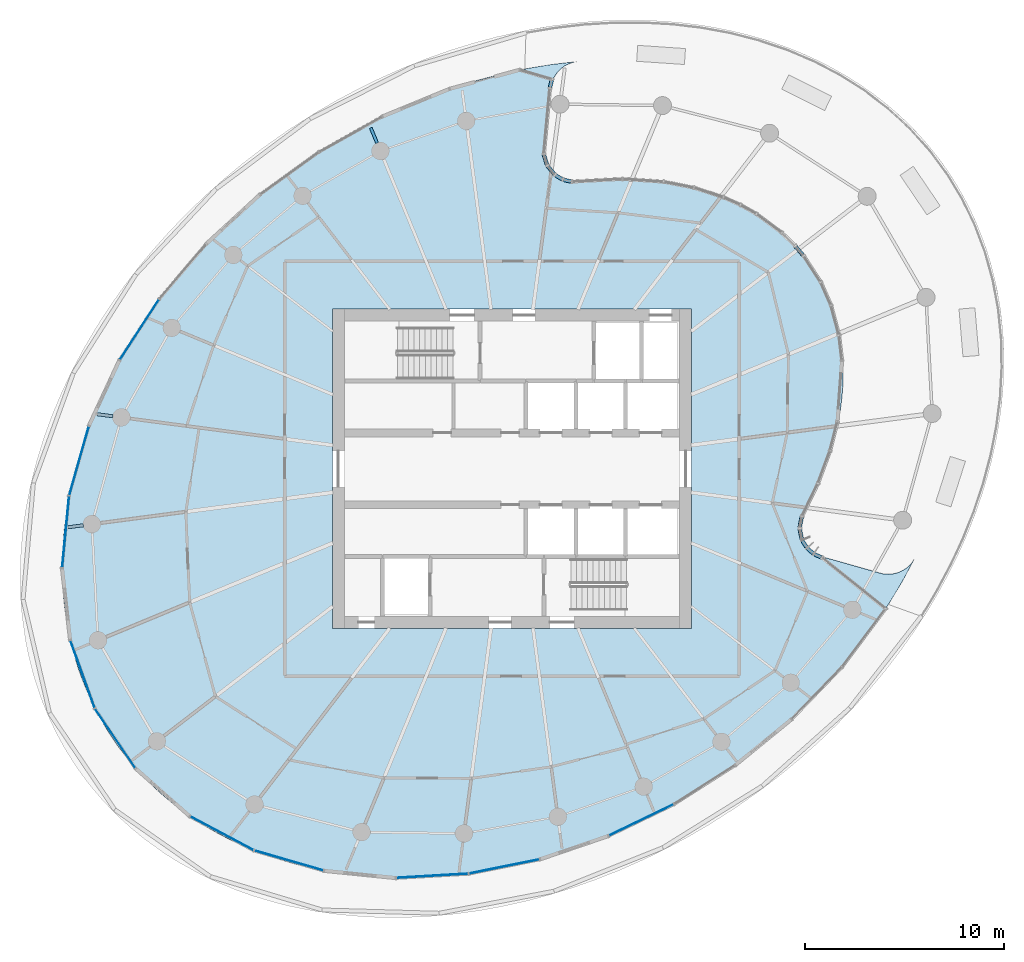
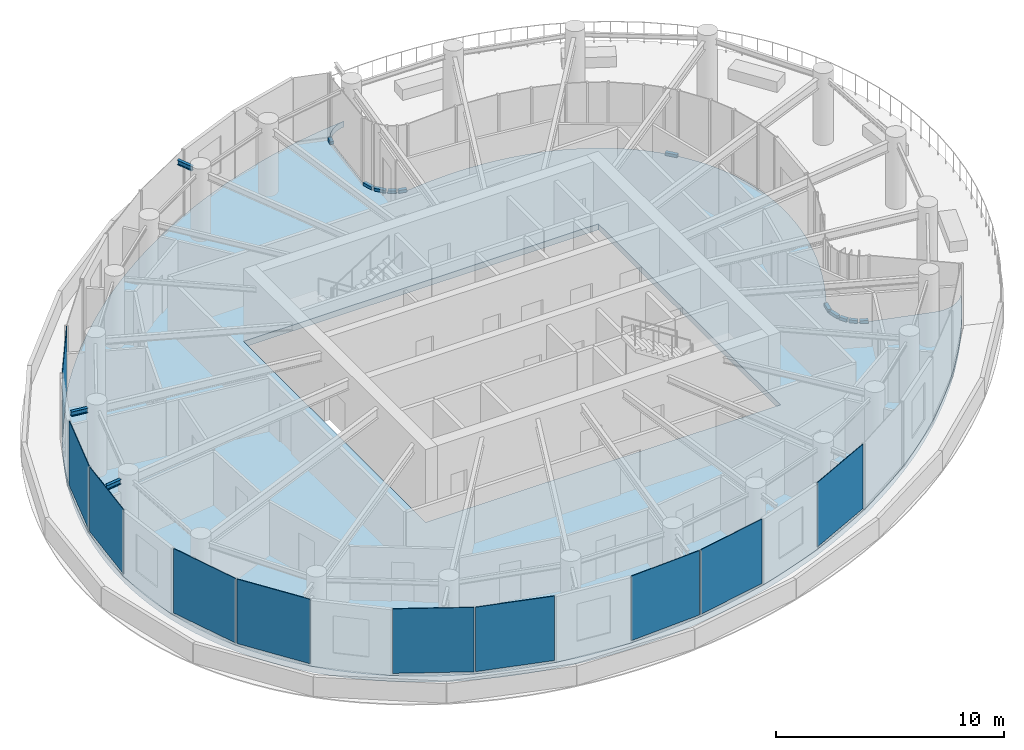
# One storey, part 7 of 19: 11 members, 10 plates, 3 beams, 1 slab, 6 elements without a shape of their own.
"""IFC4 building model written with IfcOpenShell, lengths in metres."""

from ifc_helpers import new_model, si_unit, direction, frame, origin, origin_2d, place, context, subcontext, project, spatial, line, indexed_curve, rectangle, i_section, outline, extrude, source, transform, mapped, material, layer, layer_set, material_profile, profile_set, type_object, element, aggregate, save


model = new_model("IFC4")

# Units and contexts
model_context = context("Model", 3, precision=1e-05, world=origin(), true_north=direction((0.0, 1.0)))
body_context = subcontext(model_context, "Body", "Model", "MODEL_VIEW")
ifc_project = project(units=[si_unit("LENGTHUNIT", "METRE"), si_unit("AREAUNIT", "SQUARE_METRE"), si_unit("VOLUMEUNIT", "CUBIC_METRE"), si_unit("PLANEANGLEUNIT", "RADIAN"), si_unit("MASSUNIT", "GRAM", prefix="KILO")], contexts=[model_context])

# Site, building, storey
site_placement = place(None, origin())
site = spatial("IfcSite", under=ifc_project, at=site_placement, CompositionType="ELEMENT")
building_placement = place(site_placement, origin())
building = spatial("IfcBuilding", under=site, at=building_placement, Name="Spindrift Exchange Tower", CompositionType="ELEMENT")
storey_placement = place(building_placement, frame((0.0, 0.0, 183.800048828125)))
storey = spatial("IfcBuildingStorey", under=building, at=storey_placement, Name="L44", CompositionType="ELEMENT", Elevation=183.800048828125)

# Beams
ifc_material_1 = material(Name="Steel Grade 300", Category="steel")
ifc_material_profile_1 = material_profile(ifc_material_1, i_section(OverallWidth=0.14599609375, OverallDepth=0.251953125, WebThickness=0.006103515625, FlangeThickness=0.008544921875, FilletRadius=0.011962890625, at=origin_2d()), Name="250UB31.4")
ifc_profile_set_1 = profile_set([ifc_material_profile_1], Name="Steel Grade 300")
beam_type = type_object("IfcBeamType", Name="Cantilever Beam 250UB31.4 Steel Grade 300", PredefinedType="BEAM", material=ifc_profile_set_1)
shared_shape_1 = source(origin(), body_context, "Body", "SweptSolid", [
    extrude(i_section(OverallWidth=0.14599609375, OverallDepth=0.251953125, WebThickness=0.006103515625, FlangeThickness=0.008544921875, FilletRadius=0.011962890625, at=origin_2d()), origin(), (0.0, 0.0, 1.0), 0.825927734375),
])
beam_1_placement = place(storey_placement, frame((45.236328125, 64.32861328125, 3.453857421875), z_axis=(-0.38247362018, 0.923966411655, 0.0), x_axis=(-0.923966411655, -0.38247362018, 0.0)))
element("IfcBeam", 1, at=beam_1_placement, inside=storey, type_object=beam_type, Name="L44 cantilever beam R08T", PredefinedType="BEAM", context=body_context, shape_type="MappedRepresentation", body=[
    mapped(shared_shape_1, transform((0.0, 0.0, 0.0), scale=1.0)),
])
shared_shape_2 = source(origin(), body_context, "Body", "SweptSolid", [
    extrude(i_section(OverallWidth=0.14599609375, OverallDepth=0.251953125, WebThickness=0.006103515625, FlangeThickness=0.008544921875, FilletRadius=0.011962890625, at=origin_2d()), origin(), (0.0, 0.0, 1.0), 0.783447265625),
])
beam_2_placement = place(storey_placement, frame((31.99267578125, 50.634033203125, 3.453857421875), z_axis=(-0.991441564694, 0.130551230549, 0.0), x_axis=(-0.130551230549, -0.991441564694, 0.0)))
element("IfcBeam", 2, at=beam_2_placement, inside=storey, type_object=beam_type, Name="L44 cantilever beam R12T", PredefinedType="BEAM", context=body_context, shape_type="MappedRepresentation", body=[
    mapped(shared_shape_2, transform((0.0, 0.0, 0.0), scale=1.0)),
])
shared_shape_3 = source(origin(), body_context, "Body", "SweptSolid", [
    extrude(i_section(OverallWidth=0.14599609375, OverallDepth=0.251953125, WebThickness=0.006103515625, FlangeThickness=0.008544921875, FilletRadius=0.011962890625, at=origin_2d()), origin(), (0.0, 0.0, 1.0), 0.77685546875),
])
beam_3_placement = place(storey_placement, frame((30.511474609375, 45.1708984375, 3.453857421875), z_axis=(-0.99145964274, -0.130413867429, 0.0), x_axis=(0.130413867429, -0.99145964274, 0.0)))
element("IfcBeam", 3, at=beam_3_placement, inside=storey, type_object=beam_type, Name="L44 cantilever beam R13T", PredefinedType="BEAM", context=body_context, shape_type="MappedRepresentation", body=[
    mapped(shared_shape_3, transform((0.0, 0.0, 0.0), scale=1.0)),
])

# Curtain wall, member
ifc_material_2 = material(Name="Fritted laminated glass with bronze frame", Category="glass")
ifc_layer_1 = layer(ifc_material_2, 0.199951171875)
ifc_layer_set_1 = layer_set([ifc_layer_1], Name="SKY GARDEN BRONZE GLAZED WALL")
curtain_wall_type_1 = type_object("IfcCurtainWallType", Name="SKY GARDEN BRONZE GLAZED WALL", PredefinedType="NOTDEFINED", material=ifc_layer_set_1)
curtain_wall_1_placement = place(storey_placement, origin())
curtain_wall_1 = element("IfcCurtainWall", 4, at=curtain_wall_1_placement, inside=storey, type_object=curtain_wall_type_1, Name="L44 Sky Garden Bronze Glazed Wall run 6", PredefinedType="NOTDEFINED")
ifc_material_3 = material(Name="Bronze anodised aluminium", Category="aluminium")
ifc_material_profile_2 = material_profile(ifc_material_3, rectangle(XDim=0.179931640625, YDim=0.14990234375, at=origin_2d()), Name="SKY GARDEN BRONZE GLAZED WALL TRANSOM 180X150")
ifc_profile_set_2 = profile_set([ifc_material_profile_2], Name="Bronze anodised aluminium")
member_type = type_object("IfcMemberType", Name="SKY GARDEN BRONZE GLAZED WALL TRANSOM 180X150", PredefinedType="USERDEFINED", material=ifc_profile_set_2)
shared_shape_4 = source(origin(), body_context, "Body", "SweptSolid", [
    extrude(rectangle(XDim=0.179931640625, YDim=0.14990234375, at=origin_2d()), origin(), (0.0, 0.0, 1.0), 0.526123046875),
])
member_1_placement = place(storey_placement, frame((66.42431640625, 45.067626953125, 0.074951171875), z_axis=(0.190757852323, 0.981637123268, 0.0), x_axis=(-0.981637123268, 0.190757852323, 0.0)))
member_1 = element("IfcMember", 5, at=member_1_placement, type_object=member_type, Name="L44 transom CW-G.31", ObjectType="TRANSOM", PredefinedType="USERDEFINED", context=body_context, shape_type="MappedRepresentation", body=[
    mapped(shared_shape_4, transform((0.0, 0.0, 0.0), scale=1.0)),
])

curtain_wall_2_placement = place(storey_placement, origin())
curtain_wall_2 = element("IfcCurtainWall", 6, at=curtain_wall_2_placement, inside=storey, type_object=curtain_wall_type_1, Name="L44 Sky Garden Bronze Glazed Wall run 10", PredefinedType="NOTDEFINED")
member_2_placement = place(storey_placement, frame((53.753173828125, 63.2421875, 0.074951171875), z_axis=(-0.289518021906, 0.957172562808, 0.0), x_axis=(-0.957172562808, -0.289518021906, 0.0)))
member_2 = element("IfcMember", 7, at=member_2_placement, type_object=member_type, Name="L44 transom CW-G.53", ObjectType="TRANSOM", PredefinedType="USERDEFINED", context=body_context, shape_type="MappedRepresentation", body=[
    mapped(shared_shape_4, transform((0.0, 0.0, 0.0), scale=1.0)),
])

# Member
shared_shape_5 = source(origin(), body_context, "Body", "SweptSolid", [
    extrude(rectangle(XDim=0.179931640625, YDim=0.14990234375, at=origin_2d()), origin(), (0.0, 0.0, 1.0), 0.377197265625),
])
member_3_placement = place(storey_placement, frame((67.5048828125, 43.561767578125, 0.074951171875), z_axis=(-0.910742949314, 0.412973704096, 0.0), x_axis=(-0.412973704096, -0.910742949314, 0.0)))
member_3 = element("IfcMember", 8, at=member_3_placement, type_object=member_type, Name="L44 transom CW-G.27", ObjectType="TRANSOM", PredefinedType="USERDEFINED", context=body_context, shape_type="MappedRepresentation", body=[
    mapped(shared_shape_5, transform((0.0, 0.0, 0.0), scale=1.0)),
])

shared_shape_6 = source(origin(), body_context, "Body", "SweptSolid", [
    extrude(rectangle(XDim=0.179931640625, YDim=0.14990234375, at=origin_2d()), origin(), (0.0, 0.0, 1.0), 0.374755859375),
])
member_4_placement = place(storey_placement, frame((67.0908203125, 43.763427734375, 0.074951171875), z_axis=(-0.749096019082, 0.662461436006, 0.0), x_axis=(-0.662461436006, -0.749096019082, 0.0)))
member_4 = element("IfcMember", 9, at=member_4_placement, type_object=member_type, Name="L44 transom CW-G.28", ObjectType="TRANSOM", PredefinedType="USERDEFINED", context=body_context, shape_type="MappedRepresentation", body=[
    mapped(shared_shape_6, transform((0.0, 0.0, 0.0), scale=1.0)),
])

shared_shape_7 = source(origin(), body_context, "Body", "SweptSolid", [
    extrude(rectangle(XDim=0.179931640625, YDim=0.14990234375, at=origin_2d()), origin(), (0.0, 0.0, 1.0), 0.37451171875),
])
member_5_placement = place(storey_placement, frame((66.756103515625, 44.076171875, 0.074951171875), z_axis=(-0.521476375988, 0.85326572021, 0.0), x_axis=(-0.85326572021, -0.521476375988, 0.0)))
member_5 = element("IfcMember", 10, at=member_5_placement, type_object=member_type, Name="L44 transom CW-G.29", ObjectType="TRANSOM", PredefinedType="USERDEFINED", context=body_context, shape_type="MappedRepresentation", body=[
    mapped(shared_shape_7, transform((0.0, 0.0, 0.0), scale=1.0)),
])

shared_shape_8 = source(origin(), body_context, "Body", "SweptSolid", [
    extrude(rectangle(XDim=0.179931640625, YDim=0.14990234375, at=origin_2d()), origin(), (0.0, 0.0, 1.0), 0.521240234375),
])
member_6_placement = place(storey_placement, frame((66.530029296875, 44.4736328125, 0.074951171875), z_axis=(-0.202326829291, 0.979318055664, 0.0), x_axis=(-0.979318055664, -0.202326829291, 0.0)))
member_6 = element("IfcMember", 11, at=member_6_placement, type_object=member_type, Name="L44 transom CW-G.30", ObjectType="TRANSOM", PredefinedType="USERDEFINED", context=body_context, shape_type="MappedRepresentation", body=[
    mapped(shared_shape_8, transform((0.0, 0.0, 0.0), scale=1.0)),
])

aggregate(curtain_wall_1, [member_3, member_4, member_5, member_6, member_1])

# Curtain wall, member
curtain_wall_3_placement = place(storey_placement, origin())
curtain_wall_3 = element("IfcCurtainWall", 12, at=curtain_wall_3_placement, inside=storey, type_object=curtain_wall_type_1, Name="L44 Sky Garden Bronze Glazed Wall run 8", PredefinedType="NOTDEFINED")
shared_shape_9 = source(origin(), body_context, "Body", "SweptSolid", [
    extrude(rectangle(XDim=0.179931640625, YDim=0.14990234375, at=origin_2d()), origin(), (0.0, 0.0, 1.0), 0.5712890625),
])
member_7_placement = place(storey_placement, frame((66.58984375, 58.704833984375, 0.074951171875), z_axis=(-0.648218802883, 0.761454124415, 0.0), x_axis=(-0.761454124415, -0.648218802883, 0.0)))
member_7 = element("IfcMember", 13, at=member_7_placement, type_object=member_type, Name="L44 transom CW-G.41", ObjectType="TRANSOM", PredefinedType="USERDEFINED", context=body_context, shape_type="MappedRepresentation", body=[
    mapped(shared_shape_9, transform((0.0, 0.0, 0.0), scale=1.0)),
])
aggregate(curtain_wall_3, [member_7])

# Member
shared_shape_10 = source(origin(), body_context, "Body", "SweptSolid", [
    extrude(rectangle(XDim=0.179931640625, YDim=0.14990234375, at=origin_2d()), origin(), (0.0, 0.0, 1.0), 0.379638671875),
])
member_8_placement = place(storey_placement, frame((54.961669921875, 62.3994140625, 0.074951171875), z_axis=(-0.972985323855, 0.230866973737, 0.0), x_axis=(-0.230866973737, -0.972985323855, 0.0)))
member_8 = element("IfcMember", 14, at=member_8_placement, type_object=member_type, Name="L44 transom CW-G.50", ObjectType="TRANSOM", PredefinedType="USERDEFINED", context=body_context, shape_type="MappedRepresentation", body=[
    mapped(shared_shape_10, transform((0.0, 0.0, 0.0), scale=1.0)),
])

shared_shape_11 = source(origin(), body_context, "Body", "SweptSolid", [
    extrude(rectangle(XDim=0.179931640625, YDim=0.14990234375, at=origin_2d()), origin(), (0.0, 0.0, 1.0), 0.375),
])
member_9_placement = place(storey_placement, frame((54.514404296875, 62.5185546875, 0.074951171875), z_axis=(-0.861431643399, 0.507873531256, 0.0), x_axis=(-0.507873531256, -0.861431643399, 0.0)))
member_9 = element("IfcMember", 15, at=member_9_placement, type_object=member_type, Name="L44 transom CW-G.51", ObjectType="TRANSOM", PredefinedType="USERDEFINED", context=body_context, shape_type="MappedRepresentation", body=[
    mapped(shared_shape_11, transform((0.0, 0.0, 0.0), scale=1.0)),
])

shared_shape_12 = source(origin(), body_context, "Body", "SweptSolid", [
    extrude(rectangle(XDim=0.179931640625, YDim=0.14990234375, at=origin_2d()), origin(), (0.0, 0.0, 1.0), 0.5263671875),
])
member_10_placement = place(storey_placement, frame((54.1279296875, 62.76318359375, 0.074951171875), z_axis=(-0.637169021292, 0.77072409999, 0.0), x_axis=(-0.77072409999, -0.637169021292, 0.0)))
member_10 = element("IfcMember", 16, at=member_10_placement, type_object=member_type, Name="L44 transom CW-G.52", ObjectType="TRANSOM", PredefinedType="USERDEFINED", context=body_context, shape_type="MappedRepresentation", body=[
    mapped(shared_shape_12, transform((0.0, 0.0, 0.0), scale=1.0)),
])

shared_shape_13 = source(origin(), body_context, "Body", "SweptSolid", [
    extrude(rectangle(XDim=0.179931640625, YDim=0.14990234375, at=origin_2d()), origin(), (0.0, 0.0, 1.0), 0.369873046875),
])
member_11_placement = place(storey_placement, frame((53.904296875, 67.12060546875, 0.074951171875), z_axis=(0.246882166137, 0.969045507726, 0.0), x_axis=(-0.969045507726, 0.246882166137, 0.0)))
member_11 = element("IfcMember", 17, at=member_11_placement, type_object=member_type, Name="L44 transom CW-G.55", ObjectType="TRANSOM", PredefinedType="USERDEFINED", context=body_context, shape_type="MappedRepresentation", body=[
    mapped(shared_shape_13, transform((0.0, 0.0, 0.0), scale=1.0)),
])

aggregate(curtain_wall_2, [member_8, member_9, member_10, member_2, member_11])

# Slab
ifc_material_4 = material(Name="Concrete 40 MPa", Category="concrete")
ifc_layer_2 = layer(ifc_material_4, 0.320068359375)
ifc_layer_set_2 = layer_set([ifc_layer_2], Name="RC Floor Slab 320 Concrete 40 MPa")
slab_type = type_object("IfcSlabType", Name="RC Floor Slab 320 Concrete 40 MPa", PredefinedType="FLOOR", material=ifc_layer_set_2)
slab_placement = place(storey_placement, frame((0.0, 0.0, -0.320068359375)))
element("IfcSlab", 18, at=slab_placement, inside=storey, type_object=slab_type, Name="Floor slab L44", PredefinedType="FLOOR", context=body_context, shape_type="SweptSolid", body=[
    extrude(outline(indexed_curve([(72.17919921875, 43.509521484375), (71.76123046875, 42.712646484375), (71.578857421875, 42.385498046875), (71.199951171875, 41.7392578125), (70.802978515625, 41.10400390625), (70.597900390625, 40.790283203125), (70.1748046875, 40.172119140625), (69.7353515625, 39.565185546875), (69.04638671875, 38.677490234375), (68.3232421875, 37.8173828125), (67.56787109375, 36.9853515625), (66.78173828125, 36.182373046875), (66.2412109375, 35.663330078125), (65.407470703125, 34.909912109375), (64.83642578125, 34.4248046875), (64.25390625, 33.95361328125), (63.359619140625, 33.273193359375), (62.44140625, 32.62548828125), (61.50048828125, 32.0107421875), (60.538330078125, 31.43017578125), (59.555908203125, 30.884765625), (58.55419921875, 30.375), (57.87646484375, 30.055908203125), (56.845703125, 29.6083984375), (56.1494140625, 29.33154296875), (55.092529296875, 28.949462890625), (54.38037109375, 28.71728515625), (53.662109375, 28.50390625), (52.574951171875, 28.219482421875), (51.84423828125, 28.05419921875), (51.109130859375, 27.9091796875), (50.740234375, 27.844482421875), (50.370361328125, 27.784912109375), (49.62841796875, 27.681396484375), (48.883544921875, 27.599853515625), (48.510498046875, 27.5673828125), (47.7626953125, 27.519287109375), (47.013916015625, 27.494384765625), (46.264892578125, 27.4931640625), (45.890380859375, 27.501708984375), (45.141845703125, 27.537109375), (44.395263671875, 27.59765625), (44.022705078125, 27.6376953125), (43.2802734375, 27.7373046875), (42.541748046875, 27.863525390625), (42.17431640625, 27.93701171875), (41.444091796875, 28.104736328125), (40.72119140625, 28.300537109375), (40.00634765625, 28.525146484375), (39.301513671875, 28.77880859375), (38.953125, 28.9169921875), (38.26611328125, 29.215087890625), (37.592529296875, 29.54345703125), (36.934814453125, 29.90185546875), (36.294189453125, 30.290283203125), (35.6728515625, 30.708740234375), (35.072509765625, 31.156982421875), (34.4951171875, 31.63427734375), (33.9423828125, 32.139892578125), (33.67578125, 32.4033203125), (33.16357421875, 32.94970703125), (32.68017578125, 33.522216796875), (32.2275390625, 34.119140625), (31.806640625, 34.73876953125), (31.418701171875, 35.379638671875), (31.064697265625, 36.0400390625), (30.74560546875, 36.7177734375), (30.461669921875, 37.410888671875), (30.213134765625, 38.11767578125), (30.000244140625, 38.8359375), (29.82275390625, 39.563720703125), (29.680419921875, 40.29931640625), (29.572509765625, 41.04052734375), (29.4990234375, 41.7861328125), (29.458740234375, 42.5341796875), (29.450927734375, 42.90869140625), (29.458984375, 43.657958984375), (29.47509765625, 44.0322265625), (29.49853515625, 44.406005859375), (29.568359375, 45.15185546875), (29.66748046875, 45.89453125), (29.727783203125, 46.264404296875), (29.868896484375, 47.0), (29.94970703125, 47.36572265625), (30.037109375, 47.72998046875), (30.231201171875, 48.45361328125), (30.4501953125, 49.170166015625), (30.568603515625, 49.525634765625), (30.693115234375, 49.87890625), (30.959228515625, 50.5791015625), (31.100830078125, 50.926025390625), (31.400146484375, 51.61279296875), (31.720458984375, 52.2900390625), (31.88818359375, 52.625), (32.06103515625, 52.95751953125), (32.421142578125, 53.614501953125), (32.800048828125, 54.2607421875), (32.996337890625, 54.579833984375), (33.402099609375, 55.209716796875), (33.8251953125, 55.827880859375), (34.04296875, 56.1328125), (34.490478515625, 56.733642578125), (34.95361328125, 57.322509765625), (35.43212890625, 57.89892578125), (36.177001953125, 58.740478515625), (36.69091796875, 59.28564453125), (37.21826171875, 59.817626953125), (38.03369140625, 60.591064453125), (38.592529296875, 61.090087890625), (39.16357421875, 61.5751953125), (39.74609375, 62.04638671875), (40.339599609375, 62.50341796875), (41.25, 63.162353515625), (41.86962890625, 63.583251953125), (42.49951171875, 63.9892578125), (43.461669921875, 64.56982421875), (44.114501953125, 64.9375), (44.77587890625, 65.289306640625), (45.78369140625, 65.78662109375), (46.465087890625, 66.09765625), (47.154296875, 66.3916015625), (48.201171875, 66.80029296875), (49.2626953125, 67.168701171875), (50.337890625, 67.49609375), (51.061279296875, 67.690673828125), (51.789794921875, 67.865478515625), (52.15576171875, 67.94580078125), (52.890869140625, 68.0908203125), (53.629638671875, 68.215087890625), (54.000244140625, 68.26953125), (54.74365234375, 68.362060546875), (55.2666015625, 68.4130859375), (55.15869140625, 68.3984375), (55.0146484375, 68.364013671875), (54.87451171875, 68.315185546875), (54.739990234375, 68.253173828125), (54.612060546875, 68.177978515625), (54.4921875, 68.0908203125), (54.381591796875, 67.9921875), (54.28125, 67.8828125), (54.1923828125, 67.764404296875), (54.115234375, 67.6376953125), (54.05126953125, 67.50390625), (54.00048828125, 67.36474609375), (53.9638671875, 67.220947265625), (53.941650390625, 67.074462890625), (53.63720703125, 64.086181640625), (53.62939453125, 63.9375), (53.636474609375, 63.788818359375), (53.658203125, 63.641357421875), (53.694580078125, 63.496826171875), (53.744873046875, 63.356689453125), (53.808837890625, 63.22216796875), (53.885986328125, 63.094482421875), (53.97509765625, 62.975341796875), (54.075927734375, 62.865478515625), (54.18701171875, 62.76611328125), (54.307373046875, 62.678466796875), (54.435791015625, 62.602783203125), (54.571044921875, 62.54052734375), (54.7119140625, 62.491943359375), (54.856689453125, 62.45751953125), (55.00439453125, 62.4375), (55.1533203125, 62.432373046875), (55.842041015625, 62.499267578125), (56.390380859375, 62.54150390625), (57.24658203125, 62.573486328125), (57.549072265625, 62.57470703125), (58.12060546875, 62.56201171875), (58.711669921875, 62.527587890625), (59.02392578125, 62.5), (59.607177734375, 62.431396484375), (60.22412109375, 62.332275390625), (60.80859375, 62.21142578125), (61.10888671875, 62.138671875), (61.724365234375, 61.965087890625), (62.2978515625, 61.771240234375), (62.590576171875, 61.659423828125), (63.16796875, 61.410888671875), (63.731689453125, 61.12841796875), (64.2783203125, 60.811767578125), (64.544189453125, 60.640380859375), (64.8046875, 60.46044921875), (65.05908203125, 60.27197265625), (65.30712890625, 60.0751953125), (65.54833984375, 59.86962890625), (65.7822265625, 59.656005859375), (66.008544921875, 59.4345703125), (66.22705078125, 59.205078125), (66.45458984375, 58.947265625), (66.6552734375, 58.701904296875), (66.830810546875, 58.471435546875), (67.013916015625, 58.212890625), (67.1875, 57.947998046875), (67.3515625, 57.676513671875), (67.518310546875, 57.375732421875), (67.6611328125, 57.093017578125), (67.783203125, 56.829833984375), (67.91650390625, 56.513427734375), (68.02880859375, 56.217041015625), (68.215576171875, 55.63818359375), (68.2978515625, 55.33203125), (68.375, 54.999755859375), (68.484130859375, 54.400390625), (68.529296875, 54.064208984375), (68.58251953125, 53.457763671875), (68.597412109375, 53.121826171875), (68.597900390625, 52.494384765625), (68.585693359375, 52.18212890625), (68.538818359375, 51.580078125), (68.4580078125, 50.947998046875), (68.354736328125, 50.360107421875), (68.288330078125, 50.04541015625), (68.1484375, 49.472412109375), (67.98291015625, 48.89599609375), (67.79736328125, 48.3330078125), (67.593994140625, 47.7841796875), (67.37451171875, 47.24951171875), (67.140625, 46.72998046875), (66.894287109375, 46.22509765625), (66.641845703125, 45.744384765625), (66.578125, 45.609619140625), (66.528076171875, 45.469482421875), (66.4921875, 45.32470703125), (66.470703125, 45.177490234375), (66.464111328125, 45.028564453125), (66.47216796875, 44.8798828125), (66.494873046875, 44.732421875), (66.5322265625, 44.58837890625), (66.58349609375, 44.448486328125), (66.6484375, 44.314453125), (66.7265625, 44.1875), (66.816650390625, 44.06884765625), (66.91796875, 43.959716796875), (67.02978515625, 43.861083984375), (67.150634765625, 43.774169921875), (67.27978515625, 43.69970703125), (67.41552734375, 43.63818359375), (67.556640625, 43.590576171875), (70.446533203125, 42.771728515625), (70.5908203125, 42.73828125), (70.73779296875, 42.719482421875), (70.885986328125, 42.715087890625), (71.033935546875, 42.7255859375), (71.18017578125, 42.750244140625), (71.3232421875, 42.789306640625), (71.461669921875, 42.84228515625), (71.593994140625, 42.90869140625), (71.719482421875, 42.988037109375), (71.83642578125, 43.0791015625), (71.94384765625, 43.181396484375), (72.04052734375, 43.293701171875), (72.1259765625, 43.414794921875)], segments=[line(1, 2, 3, 4, 5, 6, 7, 8, 9, 10, 11, 12, 13, 14, 15, 16, 17, 18, 19, 20, 21, 22, 23, 24, 25, 26, 27, 28, 29, 30, 31, 32, 33, 34, 35, 36, 37, 38, 39, 40, 41, 42, 43, 44, 45, 46, 47, 48, 49, 50, 51, 52, 53, 54, 55, 56, 57, 58, 59, 60, 61, 62, 63, 64, 65, 66, 67, 68, 69, 70, 71, 72, 73, 74, 75, 76, 77, 78, 79, 80, 81, 82, 83, 84, 85, 86, 87, 88, 89, 90, 91, 92, 93, 94, 95, 96, 97, 98, 99, 100, 101, 102, 103, 104, 105, 106, 107, 108, 109, 110, 111, 112, 113, 114, 115, 116, 117, 118, 119, 120, 121, 122, 123, 124, 125, 126, 127, 128, 129, 130, 131, 132, 133, 134, 135, 136, 137, 138, 139, 140, 141, 142, 143, 144, 145, 146, 147, 148, 149, 150, 151, 152, 153, 154, 155, 156, 157, 158, 159, 160, 161, 162, 163, 164, 165, 166, 167, 168, 169, 170, 171, 172, 173, 174, 175, 176, 177, 178, 179, 180, 181, 182, 183, 184, 185, 186, 187, 188, 189, 190, 191, 192, 193, 194, 195, 196, 197, 198, 199, 200, 201, 202, 203, 204, 205, 206, 207, 208, 209, 210, 211, 212, 213, 214, 215, 216, 217, 218, 219, 220, 221, 222, 223, 224, 225, 226, 227, 228, 229, 230, 231, 232, 233, 234, 235, 236, 237, 238, 239, 240, 241, 242, 243, 244, 245, 246, 247, 248, 249, 250, 251, 252, 253, 1)], self_intersect=False), holes=[indexed_curve([(43.0, 40.0), (61.0, 40.0), (61.0, 56.0), (43.0, 56.0)], segments=[line(1, 2, 3, 4, 1)], self_intersect=False)]), origin(), (0.0, 0.0, 1.0), 0.320068359375),
])

# Curtain wall, plates
ifc_layer_3 = layer(ifc_material_2, 0.169921875)
ifc_layer_set_3 = layer_set([ifc_layer_3], Name="ZONE 4 BRONZE FRITTED WALL")
curtain_wall_type_2 = type_object("IfcCurtainWallType", Name="ZONE 4 BRONZE FRITTED WALL", PredefinedType="NOTDEFINED", material=ifc_layer_set_3)
curtain_wall_4_placement = place(storey_placement, origin())
curtain_wall_4 = element("IfcCurtainWall", 19, at=curtain_wall_4_placement, inside=storey, type_object=curtain_wall_type_2, Name="L44 Zone 4 Bronze Fritted Wall run 2", PredefinedType="NOTDEFINED")
ifc_material_5 = material(Name="Bronze tinted laminated glass, light frit", Category="glass")
ifc_layer_4 = layer(ifc_material_5, 0.030029296875)
ifc_layer_set_4 = layer_set([ifc_layer_4], Name="ZONE 4 BRONZE FRITTED WALL PANEL LIGHT FRIT 960")
plate_type_1 = type_object("IfcPlateType", Name="ZONE 4 BRONZE FRITTED WALL PANEL LIGHT FRIT 960", PredefinedType="CURTAIN_PANEL", material=ifc_layer_set_4)
shared_shape_14 = source(origin(), body_context, "Body", "SweptSolid", [
    extrude(rectangle(XDim=3.5771484375, YDim=0.030029296875, at=origin_2d()), origin(), (0.0, 0.0, 1.0), 3.455078125),
])
plate_1_placement = place(storey_placement, frame((33.325439453125, 54.981689453125, 0.125), z_axis=(0.0, 0.0, 1.0), x_axis=(-0.54567057063, -0.837999778251, 0.0)))
plate_1 = element("IfcPlate", 20, at=plate_1_placement, type_object=plate_type_1, Name="L44 panel CW-4.7", PredefinedType="CURTAIN_PANEL", context=body_context, shape_type="MappedRepresentation", body=[
    mapped(shared_shape_14, transform((0.0, 0.0, 0.0), scale=1.0)),
])
shared_shape_15 = source(origin(), body_context, "Body", "SweptSolid", [
    extrude(rectangle(XDim=3.57568359375, YDim=0.030029296875, at=origin_2d()), origin(), (0.0, 0.0, 1.0), 3.455078125),
])
plate_2_placement = place(storey_placement, frame((30.296630859375, 48.403564453125, 0.125), z_axis=(0.0, 0.0, 1.0), x_axis=(-0.273556341412, -0.961855980942, 0.0)))
plate_2 = element("IfcPlate", 21, at=plate_2_placement, type_object=plate_type_1, Name="L44 panel CW-4.9", PredefinedType="CURTAIN_PANEL", context=body_context, shape_type="MappedRepresentation", body=[
    mapped(shared_shape_15, transform((0.0, 0.0, 0.0), scale=1.0)),
])
ifc_layer_5 = layer(ifc_material_5, 0.030029296875)
ifc_layer_set_5 = layer_set([ifc_layer_5], Name="ZONE 4 BRONZE FRITTED WALL PANEL LIGHT FRIT 720")
plate_type_2 = type_object("IfcPlateType", Name="ZONE 4 BRONZE FRITTED WALL PANEL LIGHT FRIT 720", PredefinedType="CURTAIN_PANEL", material=ifc_layer_set_5)
shared_shape_16 = source(origin(), body_context, "Body", "SweptSolid", [
    extrude(rectangle(XDim=3.57421875, YDim=0.030029296875, at=origin_2d()), origin(), (0.0, 0.0, 1.0), 3.455078125),
])
plate_3_placement = place(storey_placement, frame((29.62451171875, 44.841552734375, 0.125), z_axis=(0.0, 0.0, 1.0), x_axis=(-0.095819693076, -0.995398707262, 0.0)))
plate_3 = element("IfcPlate", 22, at=plate_3_placement, type_object=plate_type_2, Name="L44 panel CW-4.10", PredefinedType="CURTAIN_PANEL", context=body_context, shape_type="MappedRepresentation", body=[
    mapped(shared_shape_16, transform((0.0, 0.0, 0.0), scale=1.0)),
])
ifc_layer_6 = layer(ifc_material_5, 0.030029296875)
ifc_layer_set_6 = layer_set([ifc_layer_6], Name="ZONE 4 BRONZE FRITTED WALL PANEL LIGHT FRIT 1200")
plate_type_3 = type_object("IfcPlateType", Name="ZONE 4 BRONZE FRITTED WALL PANEL LIGHT FRIT 1200", PredefinedType="CURTAIN_PANEL", material=ifc_layer_set_6)
shared_shape_17 = source(origin(), body_context, "Body", "SweptSolid", [
    extrude(rectangle(XDim=3.57080078125, YDim=0.030029296875, at=origin_2d()), origin(), (0.0, 0.0, 1.0), 3.455078125),
])
plate_4_placement = place(storey_placement, frame((30.4716796875, 37.705078125, 0.125), z_axis=(0.0, 0.0, 1.0), x_axis=(0.338828236755, -0.940848248113, 0.0)))
plate_4 = element("IfcPlate", 23, at=plate_4_placement, type_object=plate_type_3, Name="L44 panel CW-4.12", PredefinedType="CURTAIN_PANEL", context=body_context, shape_type="MappedRepresentation", body=[
    mapped(shared_shape_17, transform((0.0, 0.0, 0.0), scale=1.0)),
])
aggregate(curtain_wall_4, [plate_1, plate_2, plate_3, plate_4])

curtain_wall_5_placement = place(storey_placement, origin())
curtain_wall_5 = element("IfcCurtainWall", 24, at=curtain_wall_5_placement, inside=storey, type_object=curtain_wall_type_2, Name="L44 Zone 4 Bronze Fritted Wall run 3", PredefinedType="NOTDEFINED")
shared_shape_18 = source(origin(), body_context, "Body", "SweptSolid", [
    extrude(rectangle(XDim=3.570068359375, YDim=0.030029296875, at=origin_2d()), origin(), (0.0, 0.0, 1.0), 3.455078125),
])
plate_5_placement = place(storey_placement, frame((32.10888671875, 34.4912109375, 0.125), z_axis=(0.0, 0.0, 1.0), x_axis=(0.561814852046, -0.827263000515, 0.0)))
plate_5 = element("IfcPlate", 25, at=plate_5_placement, type_object=plate_type_2, Name="L44 panel CW-4.13", PredefinedType="CURTAIN_PANEL", context=body_context, shape_type="MappedRepresentation", body=[
    mapped(shared_shape_18, transform((0.0, 0.0, 0.0), scale=1.0)),
])
shared_shape_19 = source(origin(), body_context, "Body", "SweptSolid", [
    extrude(rectangle(XDim=3.572509765625, YDim=0.030029296875, at=origin_2d()), origin(), (0.0, 0.0, 1.0), 3.455078125),
])
plate_6_placement = place(storey_placement, frame((37.460693359375, 29.726318359375, 0.125), z_axis=(0.0, 0.0, 1.0), x_axis=(0.882611420021, -0.47010326658, 0.0)))
plate_6 = element("IfcPlate", 26, at=plate_6_placement, type_object=plate_type_3, Name="L44 panel CW-4.15", PredefinedType="CURTAIN_PANEL", context=body_context, shape_type="MappedRepresentation", body=[
    mapped(shared_shape_19, transform((0.0, 0.0, 0.0), scale=1.0)),
])
shared_shape_20 = source(origin(), body_context, "Body", "SweptSolid", [
    extrude(rectangle(XDim=3.57421875, YDim=0.030029296875, at=origin_2d()), origin(), (0.0, 0.0, 1.0), 3.455078125),
])
plate_7_placement = place(storey_placement, frame((40.813720703125, 28.365478515625, 0.125), z_axis=(0.0, 0.0, 1.0), x_axis=(0.960594535701, -0.277953481685, 0.0)))
plate_7 = element("IfcPlate", 27, at=plate_7_placement, type_object=plate_type_3, Name="L44 panel CW-4.16", PredefinedType="CURTAIN_PANEL", context=body_context, shape_type="MappedRepresentation", body=[
    mapped(shared_shape_20, transform((0.0, 0.0, 0.0), scale=1.0)),
])
shared_shape_21 = source(origin(), body_context, "Body", "SweptSolid", [
    extrude(rectangle(XDim=3.576416015625, YDim=0.030029296875, at=origin_2d()), origin(), (0.0, 0.0, 1.0), 3.455078125),
])
plate_8_placement = place(storey_placement, frame((48.00146484375, 27.60009765625, 0.125), z_axis=(0.0, 0.0, 1.0), x_axis=(0.998311944809, 0.058079780067, 0.0)))
plate_8 = element("IfcPlate", 28, at=plate_8_placement, type_object=plate_type_2, Name="L44 panel CW-4.18", PredefinedType="CURTAIN_PANEL", context=body_context, shape_type="MappedRepresentation", body=[
    mapped(shared_shape_21, transform((0.0, 0.0, 0.0), scale=1.0)),
])
aggregate(curtain_wall_5, [plate_5, plate_6, plate_7, plate_8])

curtain_wall_6_placement = place(storey_placement, origin())
curtain_wall_6 = element("IfcCurtainWall", 29, at=curtain_wall_6_placement, inside=storey, type_object=curtain_wall_type_2, Name="L44 Zone 4 Bronze Fritted Wall run 4", PredefinedType="NOTDEFINED")
shared_shape_22 = source(origin(), body_context, "Body", "SweptSolid", [
    extrude(rectangle(XDim=3.5771484375, YDim=0.030029296875, at=origin_2d()), origin(), (0.0, 0.0, 1.0), 3.455078125),
])
plate_9_placement = place(storey_placement, frame((51.60400390625, 28.067138671875, 0.125), z_axis=(0.0, 0.0, 1.0), x_axis=(0.980148519585, 0.198264670465, 0.0)))
plate_9 = element("IfcPlate", 30, at=plate_9_placement, type_object=plate_type_2, Name="L44 panel CW-4.19", PredefinedType="CURTAIN_PANEL", context=body_context, shape_type="MappedRepresentation", body=[
    mapped(shared_shape_22, transform((0.0, 0.0, 0.0), scale=1.0)),
])
shared_shape_23 = source(origin(), body_context, "Body", "SweptSolid", [
    extrude(rectangle(XDim=3.57763671875, YDim=0.030029296875, at=origin_2d()), origin(), (0.0, 0.0, 1.0), 3.455078125),
])
plate_10_placement = place(storey_placement, frame((58.47607421875, 30.397216796875, 0.125), z_axis=(0.0, 0.0, 1.0), x_axis=(0.900310415399, 0.435248384172, 0.0)))
plate_10 = element("IfcPlate", 31, at=plate_10_placement, type_object=plate_type_2, Name="L44 panel CW-4.21", PredefinedType="CURTAIN_PANEL", context=body_context, shape_type="MappedRepresentation", body=[
    mapped(shared_shape_23, transform((0.0, 0.0, 0.0), scale=1.0)),
])
aggregate(curtain_wall_6, [plate_9, plate_10])

save(model, "model.ifc")
